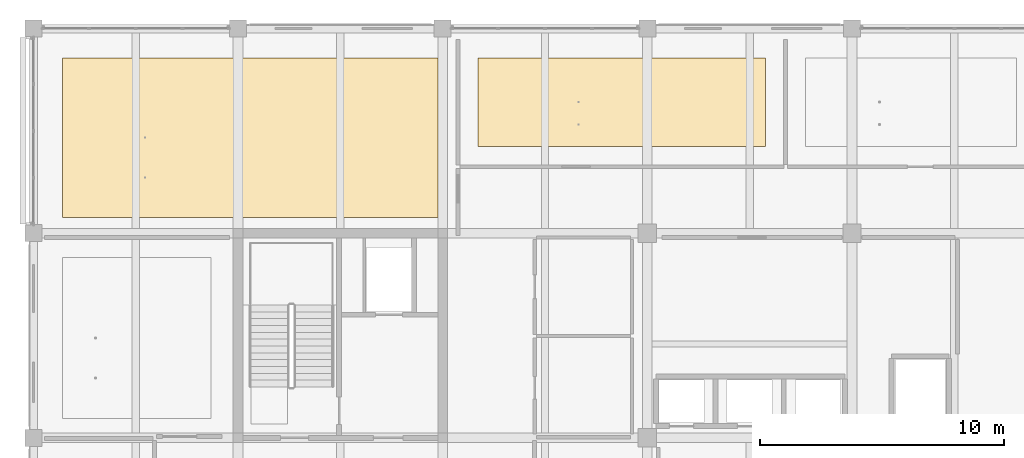
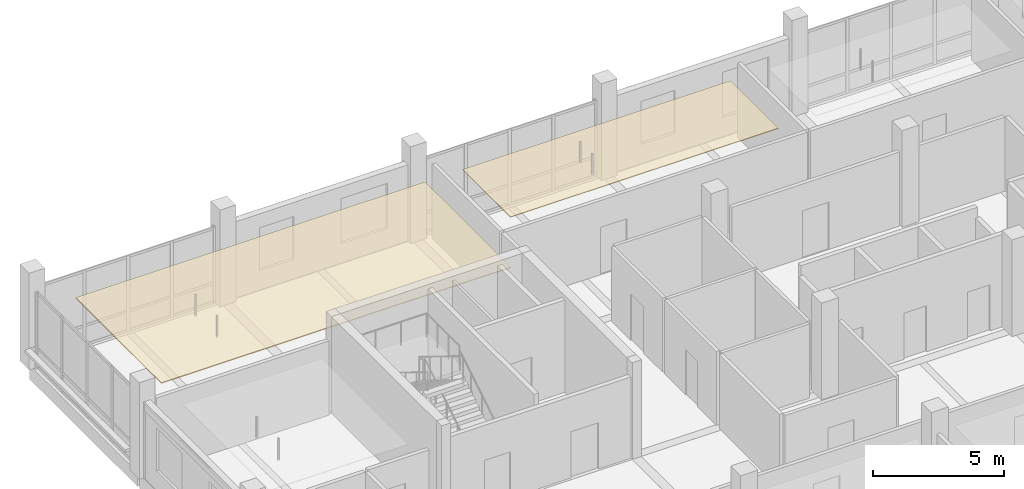
# One storey, part 26 of 32: 2 coverings.
"""IFC4 building model written with IfcOpenShell, lengths in metres."""

from ifc_helpers import new_model, si_unit, direction, frame, origin, place, context, subcontext, project, spatial, polyline, outline, extrude, material, layer, layer_set, type_object, element, save


model = new_model("IFC4")

# Units and contexts
model_context = context("Model", 3, precision=1e-05, world=origin(), true_north=direction((0.0, 1.0)))
body_context = subcontext(model_context, "Body", "Model", "MODEL_VIEW")
ifc_project = project(units=[si_unit("LENGTHUNIT", "METRE"), si_unit("AREAUNIT", "SQUARE_METRE"), si_unit("VOLUMEUNIT", "CUBIC_METRE"), si_unit("PLANEANGLEUNIT", "RADIAN"), si_unit("MASSUNIT", "GRAM", prefix="KILO")], contexts=[model_context])

# Site, building, storey
site_placement = place(None, origin())
site = spatial("IfcSite", under=ifc_project, at=site_placement, CompositionType="ELEMENT")
building_placement = place(site_placement, origin())
building = spatial("IfcBuilding", under=site, at=building_placement, Name="Telukmera Botanical Conservatory", CompositionType="ELEMENT")
storey_placement = place(building_placement, frame((0.0, 0.0, 42.0)))
storey = spatial("IfcBuildingStorey", under=building, at=storey_placement, Name="L09", CompositionType="ELEMENT", Elevation=42.0)

# Coverings
ifc_material_1 = material(Name="Mineral fibre acoustic ceiling")
ifc_layer_1 = layer(ifc_material_1, 0.030029296875)
ifc_layer_set_1 = layer_set([ifc_layer_1], Name="Mineral fibre acoustic ceiling")
covering_type_1 = type_object("IfcCoveringType", Name="COV-CEIL-30", PredefinedType="CEILING", material=ifc_layer_set_1)
covering_1_placement = place(storey_placement, frame((0.0, 0.0, 3.320068359375)))
element("IfcCovering", 1, at=covering_1_placement, inside=storey, type_object=covering_type_1, Name="L09 Canopy Ecophysiology Laboratory Suspended Acoustic Ceiling", PredefinedType="CEILING", context=body_context, shape_type="SweptSolid", body=[
    extrude(outline(polyline([(68.64990234375, 37.949951171875), (80.449951171875, 37.949951171875), (80.449951171875, 41.60009765625), (68.64990234375, 41.60009765625), (68.64990234375, 37.949951171875)])), origin(), (0.0, 0.0, 1.0), 0.030029296875),
])
ifc_material_2 = material(Name="Perforated gypsum acoustic ceiling")
ifc_layer_2 = layer(ifc_material_2, 0.0400390625)
ifc_layer_set_2 = layer_set([ifc_layer_2], Name="Perforated gypsum acoustic ceiling")
covering_type_2 = type_object("IfcCoveringType", Name="COV-CEIL-40", PredefinedType="CEILING", material=ifc_layer_set_2)
covering_2_placement = place(storey_placement, frame((0.0, 0.0, 3.31005859375)))
element("IfcCovering", 2, at=covering_2_placement, inside=storey, type_object=covering_type_2, Name="L09 Soil Microbiome Laboratory Suspended Acoustic Ceiling", PredefinedType="CEILING", context=body_context, shape_type="SweptSolid", body=[
    extrude(outline(polyline([(51.60009765625, 35.050048828125), (67.0, 35.050048828125), (67.0, 41.60009765625), (51.60009765625, 41.60009765625), (51.60009765625, 35.050048828125)])), origin(), (0.0, 0.0, 1.0), 0.0400390625),
])

save(model, "model.ifc")
